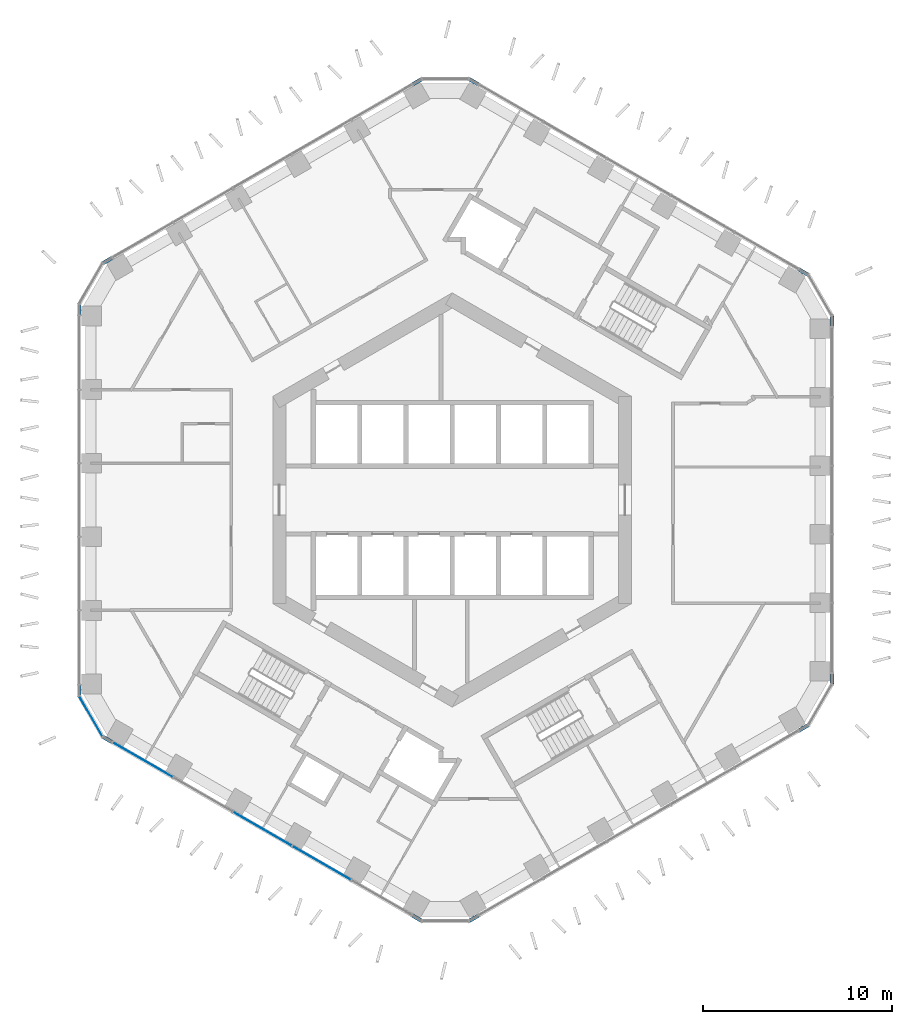
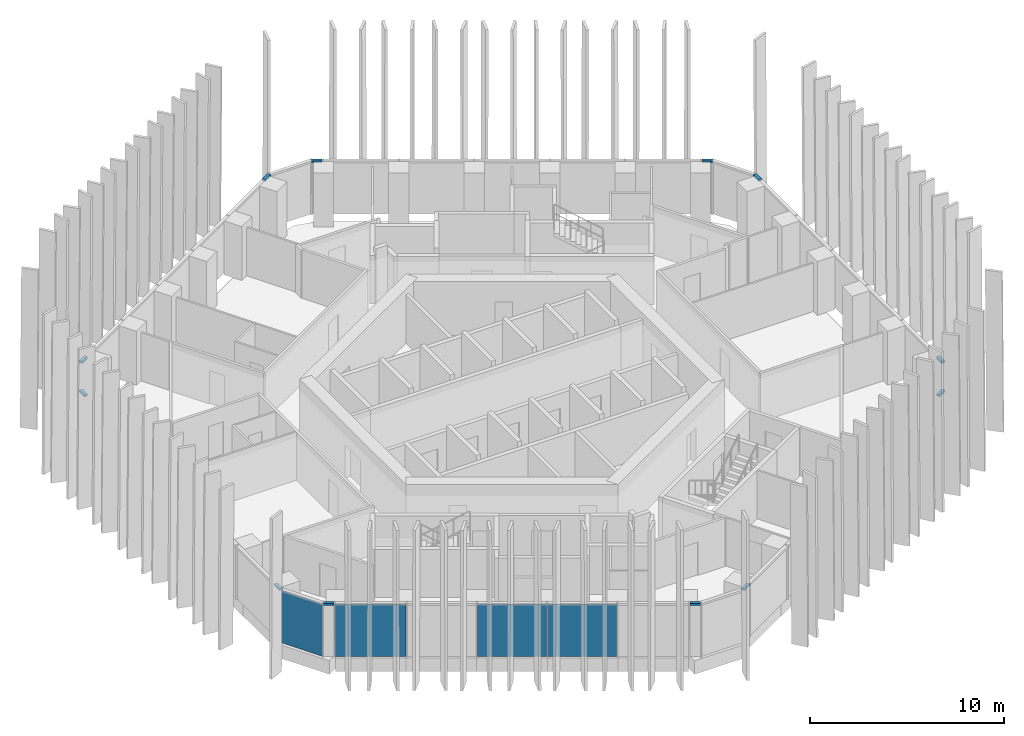
# One storey, part 7 of 19: 12 members, 4 plates, 7 elements without a shape of their own.
"""IFC4 building model written with IfcOpenShell, lengths in metres."""

from ifc_helpers import new_model, si_unit, direction, frame, origin, origin_2d, place, context, subcontext, project, spatial, rectangle, extrude, material, layer, layer_set, material_profile, profile_set, type_object, element, aggregate, save


model = new_model("IFC4")

# Units and contexts
model_context = context("Model", 3, precision=1e-05, world=origin(), true_north=direction((0.0, 1.0)))
body_context = subcontext(model_context, "Body", "Model", "MODEL_VIEW")
ifc_project = project(units=[si_unit("LENGTHUNIT", "METRE"), si_unit("AREAUNIT", "SQUARE_METRE"), si_unit("VOLUMEUNIT", "CUBIC_METRE"), si_unit("PLANEANGLEUNIT", "RADIAN"), si_unit("MASSUNIT", "GRAM", prefix="KILO")], contexts=[model_context])

# Site, building, storey
site_placement = place(None, origin())
site = spatial("IfcSite", under=ifc_project, at=site_placement, CompositionType="ELEMENT")
building_placement = place(site_placement, origin())
building = spatial("IfcBuilding", under=site, at=building_placement, Name="Ayvan Gate Tower", CompositionType="ELEMENT")
storey_placement = place(building_placement, frame((0.0, 0.0, 103.5)))
storey = spatial("IfcBuildingStorey", under=building, at=storey_placement, Name="L27", CompositionType="ELEMENT", Elevation=103.5)

# Curtain wall, members
ifc_material_1 = material(Name="Bronze anodised aluminium", Category="aluminium")
ifc_layer_1 = layer(ifc_material_1, 0.199951171875)
ifc_layer_set_1 = layer_set([ifc_layer_1], Name="Bronze anodised aluminium")
curtain_wall_type_1 = type_object("IfcCurtainWallType", Name="Stick curtain wall CW-6", PredefinedType="NOTDEFINED", material=ifc_layer_set_1)
curtain_wall_1_placement = place(storey_placement, origin())
curtain_wall_1 = element("IfcCurtainWall", 1, at=curtain_wall_1_placement, inside=storey, type_object=curtain_wall_type_1, Name="Stick curtain wall CW-6 L27", PredefinedType="NOTDEFINED")
ifc_material_profile = material_profile(ifc_material_1, rectangle(XDim=0.199951171875, YDim=0.1201171875, at=origin_2d()), Name="Stick curtain wall CW-6 transom 200 x 120")
ifc_profile_set = profile_set([ifc_material_profile], Name="Bronze anodised aluminium")
member_type = type_object("IfcMemberType", Name="Stick curtain wall CW-6 transom 200 x 120", PredefinedType="USERDEFINED", material=ifc_profile_set)
member_1_placement = place(storey_placement, frame((-18.01318359375, 12.82177734375, 3.340087890625), z_axis=(-0.865912065108, -0.500196256984, 0.0), x_axis=(0.500196256984, -0.865912065108, 0.0)))
member_1 = element("IfcMember", 2, at=member_1_placement, type_object=member_type, Name="CW-6 transom 1", ObjectType="TRANSOM", PredefinedType="USERDEFINED", context=body_context, shape_type="SweptSolid", body=[
    extrude(rectangle(XDim=0.199951171875, YDim=0.1201171875, at=origin_2d()), origin(), (0.0, 0.0, 1.0), 0.550048828125),
])
member_2_placement = place(storey_placement, frame((-19.75439453125, 10.355712890625, 3.340087890625), z_axis=(0.0, -1.0, 0.0), x_axis=(1.0, 0.0, 0.0)))
member_2 = element("IfcMember", 3, at=member_2_placement, type_object=member_type, Name="CW-6 transom 3", ObjectType="TRANSOM", PredefinedType="USERDEFINED", context=body_context, shape_type="SweptSolid", body=[
    extrude(rectangle(XDim=0.199951171875, YDim=0.1201171875, at=origin_2d()), origin(), (0.0, 0.0, 1.0), 0.5498046875),
])
aggregate(curtain_wall_1, [member_1, member_2])

curtain_wall_2_placement = place(storey_placement, origin())
curtain_wall_2 = element("IfcCurtainWall", 4, at=curtain_wall_2_placement, inside=storey, type_object=curtain_wall_type_1, Name="Stick curtain wall CW-6 L27", PredefinedType="NOTDEFINED")
member_3_placement = place(storey_placement, frame((-19.75439453125, -9.805908203125, 3.340087890625), z_axis=(0.0, -1.0, 0.0), x_axis=(1.0, 0.0, 0.0)))
member_3 = element("IfcMember", 5, at=member_3_placement, type_object=member_type, Name="CW-6 transom 1", ObjectType="TRANSOM", PredefinedType="USERDEFINED", context=body_context, shape_type="SweptSolid", body=[
    extrude(rectangle(XDim=0.199951171875, YDim=0.1201171875, at=origin_2d()), origin(), (0.0, 0.0, 1.0), 0.5498046875),
])
member_4_placement = place(storey_placement, frame((-18.489501953125, -12.546630859375, 3.340087890625), z_axis=(0.865912065108, -0.500196256984, 0.0), x_axis=(0.500196256984, 0.865912065108, 0.0)))
member_4 = element("IfcMember", 6, at=member_4_placement, type_object=member_type, Name="CW-6 transom 3", ObjectType="TRANSOM", PredefinedType="USERDEFINED", context=body_context, shape_type="SweptSolid", body=[
    extrude(rectangle(XDim=0.199951171875, YDim=0.1201171875, at=origin_2d()), origin(), (0.0, 0.0, 1.0), 0.550048828125),
])

curtain_wall_3_placement = place(storey_placement, origin())
curtain_wall_3 = element("IfcCurtainWall", 7, at=curtain_wall_3_placement, inside=storey, type_object=curtain_wall_type_1, Name="Stick curtain wall CW-6 L27", PredefinedType="NOTDEFINED")
member_5_placement = place(storey_placement, frame((-2.097412109375, -22.0107421875, 3.340087890625), z_axis=(0.865912065108, -0.500196256984, 0.0), x_axis=(0.500196256984, 0.865912065108, 0.0)))
member_5 = element("IfcMember", 8, at=member_5_placement, type_object=member_type, Name="CW-6 transom 1", ObjectType="TRANSOM", PredefinedType="USERDEFINED", context=body_context, shape_type="SweptSolid", body=[
    extrude(rectangle(XDim=0.199951171875, YDim=0.1201171875, at=origin_2d()), origin(), (0.0, 0.0, 1.0), 0.550048828125),
])
member_6_placement = place(storey_placement, frame((0.908935546875, -22.285888671875, 3.340087890625), z_axis=(0.865912065108, 0.500196256984, 0.0), x_axis=(-0.500196256984, 0.865912065108, 0.0)))
member_6 = element("IfcMember", 9, at=member_6_placement, type_object=member_type, Name="CW-6 transom 3", ObjectType="TRANSOM", PredefinedType="USERDEFINED", context=body_context, shape_type="SweptSolid", body=[
    extrude(rectangle(XDim=0.199951171875, YDim=0.1201171875, at=origin_2d()), origin(), (0.0, 0.0, 1.0), 0.550048828125),
])
aggregate(curtain_wall_3, [member_5, member_6])

curtain_wall_4_placement = place(storey_placement, origin())
curtain_wall_4 = element("IfcCurtainWall", 10, at=curtain_wall_4_placement, inside=storey, type_object=curtain_wall_type_1, Name="Stick curtain wall CW-6 L27", PredefinedType="NOTDEFINED")
member_7_placement = place(storey_placement, frame((18.369384765625, -12.205078125, 3.340087890625), z_axis=(0.865912065108, 0.500196256984, 0.0), x_axis=(-0.500196256984, 0.865912065108, 0.0)))
member_7 = element("IfcMember", 11, at=member_7_placement, type_object=member_type, Name="CW-6 transom 1", ObjectType="TRANSOM", PredefinedType="USERDEFINED", context=body_context, shape_type="SweptSolid", body=[
    extrude(rectangle(XDim=0.199951171875, YDim=0.1201171875, at=origin_2d()), origin(), (0.0, 0.0, 1.0), 0.550048828125),
])
member_8_placement = place(storey_placement, frame((20.110595703125, -9.739013671875, 3.340087890625), z_axis=(0.0, 1.0, 0.0), x_axis=(-1.0, 0.0, 0.0)))
member_8 = element("IfcMember", 12, at=member_8_placement, type_object=member_type, Name="CW-6 transom 3", ObjectType="TRANSOM", PredefinedType="USERDEFINED", context=body_context, shape_type="SweptSolid", body=[
    extrude(rectangle(XDim=0.199951171875, YDim=0.1201171875, at=origin_2d()), origin(), (0.0, 0.0, 1.0), 0.550048828125),
])
aggregate(curtain_wall_4, [member_7, member_8])

curtain_wall_5_placement = place(storey_placement, origin())
curtain_wall_5 = element("IfcCurtainWall", 13, at=curtain_wall_5_placement, inside=storey, type_object=curtain_wall_type_1, Name="Stick curtain wall CW-6 L27", PredefinedType="NOTDEFINED")
member_9_placement = place(storey_placement, frame((20.110595703125, 9.18896484375, 3.340087890625), z_axis=(0.0, 1.0, 0.0), x_axis=(-1.0, 0.0, 0.0)))
member_9 = element("IfcMember", 14, at=member_9_placement, type_object=member_type, Name="CW-6 transom 1", ObjectType="TRANSOM", PredefinedType="USERDEFINED", context=body_context, shape_type="SweptSolid", body=[
    extrude(rectangle(XDim=0.199951171875, YDim=0.1201171875, at=origin_2d()), origin(), (0.0, 0.0, 1.0), 0.550048828125),
])
member_10_placement = place(storey_placement, frame((18.845703125, 11.929931640625, 3.340087890625), z_axis=(-0.865912065108, 0.500196256984, 0.0), x_axis=(-0.500196256984, -0.865912065108, 0.0)))
member_10 = element("IfcMember", 15, at=member_10_placement, type_object=member_type, Name="CW-6 transom 3", ObjectType="TRANSOM", PredefinedType="USERDEFINED", context=body_context, shape_type="SweptSolid", body=[
    extrude(rectangle(XDim=0.199951171875, YDim=0.1201171875, at=origin_2d()), origin(), (0.0, 0.0, 1.0), 0.550048828125),
])
aggregate(curtain_wall_5, [member_9, member_10])

curtain_wall_6_placement = place(storey_placement, origin())
curtain_wall_6 = element("IfcCurtainWall", 16, at=curtain_wall_6_placement, inside=storey, type_object=curtain_wall_type_1, Name="Stick curtain wall CW-6 L27", PredefinedType="NOTDEFINED")
member_11_placement = place(storey_placement, frame((1.38525390625, 22.0107421875, 3.340087890625), z_axis=(-0.865912065108, 0.500196256984, 0.0), x_axis=(-0.500196256984, -0.865912065108, 0.0)))
member_11 = element("IfcMember", 17, at=member_11_placement, type_object=member_type, Name="CW-6 transom 1", ObjectType="TRANSOM", PredefinedType="USERDEFINED", context=body_context, shape_type="SweptSolid", body=[
    extrude(rectangle(XDim=0.199951171875, YDim=0.1201171875, at=origin_2d()), origin(), (0.0, 0.0, 1.0), 0.550048828125),
])
member_12_placement = place(storey_placement, frame((-1.62109375, 22.285888671875, 3.340087890625), z_axis=(-0.865912065108, -0.500196256984, 0.0), x_axis=(0.500196256984, -0.865912065108, 0.0)))
member_12 = element("IfcMember", 18, at=member_12_placement, type_object=member_type, Name="CW-6 transom 3", ObjectType="TRANSOM", PredefinedType="USERDEFINED", context=body_context, shape_type="SweptSolid", body=[
    extrude(rectangle(XDim=0.199951171875, YDim=0.1201171875, at=origin_2d()), origin(), (0.0, 0.0, 1.0), 0.550048828125),
])
aggregate(curtain_wall_6, [member_11, member_12])

# Curtain wall, plates
ifc_layer_2 = layer(ifc_material_1, 0.199951171875)
ifc_layer_set_2 = layer_set([ifc_layer_2], Name="Bronze anodised aluminium")
curtain_wall_type_2 = type_object("IfcCurtainWallType", Name="Stick curtain wall CW-1", PredefinedType="NOTDEFINED", material=ifc_layer_set_2)
curtain_wall_7_placement = place(storey_placement, origin())
curtain_wall_7 = element("IfcCurtainWall", 19, at=curtain_wall_7_placement, inside=storey, type_object=curtain_wall_type_2, Name="Stick curtain wall CW-1 L27", PredefinedType="NOTDEFINED")
ifc_material_2 = material(Name="Clear low-iron laminated glass", Category="glass")
ifc_layer_3 = layer(ifc_material_2, 0.028076171875)
ifc_layer_set_3 = layer_set([ifc_layer_3], Name="Clear low-iron laminated glass")
plate_type_1 = type_object("IfcPlateType", Name="Stick curtain wall CW-1 glass panel", PredefinedType="CURTAIN_PANEL", material=ifc_layer_set_3)
plate_1_placement = place(storey_placement, frame((-16.39111328125, -13.75830078125, 0.0), z_axis=(0.0, 0.0, 1.0), x_axis=(0.866025403784, -0.5, 0.0)))
plate_1 = element("IfcPlate", 20, at=plate_1_placement, type_object=plate_type_1, Name="CW-1 glass panel 1", PredefinedType="CURTAIN_PANEL", context=body_context, shape_type="SweptSolid", body=[
    extrude(rectangle(XDim=3.68603515625, YDim=0.028076171875, at=origin_2d()), origin(), (0.0, 0.0, 1.0), 3.280029296875),
])
plate_2_placement = place(storey_placement, frame((-10.054931640625, -17.41650390625, 0.0), z_axis=(0.0, 0.0, 1.0), x_axis=(0.866025403784, -0.5, 0.0)))
plate_2 = element("IfcPlate", 21, at=plate_2_placement, type_object=plate_type_1, Name="CW-1 glass panel 3", PredefinedType="CURTAIN_PANEL", context=body_context, shape_type="SweptSolid", body=[
    extrude(rectangle(XDim=3.569091796875, YDim=0.028076171875, at=origin_2d()), origin(), (0.0, 0.0, 1.0), 3.280029296875),
])
plate_3_placement = place(storey_placement, frame((-6.912109375, -19.23095703125, 0.0), z_axis=(0.0, 0.0, 1.0), x_axis=(0.866025403784, -0.5, 0.0)))
plate_3 = element("IfcPlate", 22, at=plate_3_placement, type_object=plate_type_1, Name="CW-1 glass panel 4", PredefinedType="CURTAIN_PANEL", context=body_context, shape_type="SweptSolid", body=[
    extrude(rectangle(XDim=3.569091796875, YDim=0.028076171875, at=origin_2d()), origin(), (0.0, 0.0, 1.0), 3.280029296875),
])
aggregate(curtain_wall_7, [plate_1, plate_2, plate_3])

# Plate
ifc_layer_4 = layer(ifc_material_2, 0.028076171875)
ifc_layer_set_4 = layer_set([ifc_layer_4], Name="Clear low-iron laminated glass")
plate_type_2 = type_object("IfcPlateType", Name="Stick curtain wall CW-6 glass panel", PredefinedType="CURTAIN_PANEL", material=ifc_layer_set_4)
plate_4_placement = place(storey_placement, frame((-19.1328125, -11.45751953125, 0.0), z_axis=(0.0, 0.0, 1.0), x_axis=(0.5, -0.866025403784, 0.0)))
plate_4 = element("IfcPlate", 23, at=plate_4_placement, type_object=plate_type_2, Name="CW-6 glass panel 2", PredefinedType="CURTAIN_PANEL", context=body_context, shape_type="SweptSolid", body=[
    extrude(rectangle(XDim=2.4365234375, YDim=0.028076171875, at=origin_2d()), origin(), (0.0, 0.0, 1.0), 3.280029296875),
])

aggregate(curtain_wall_2, [member_3, member_4, plate_4])

save(model, "model.ifc")
